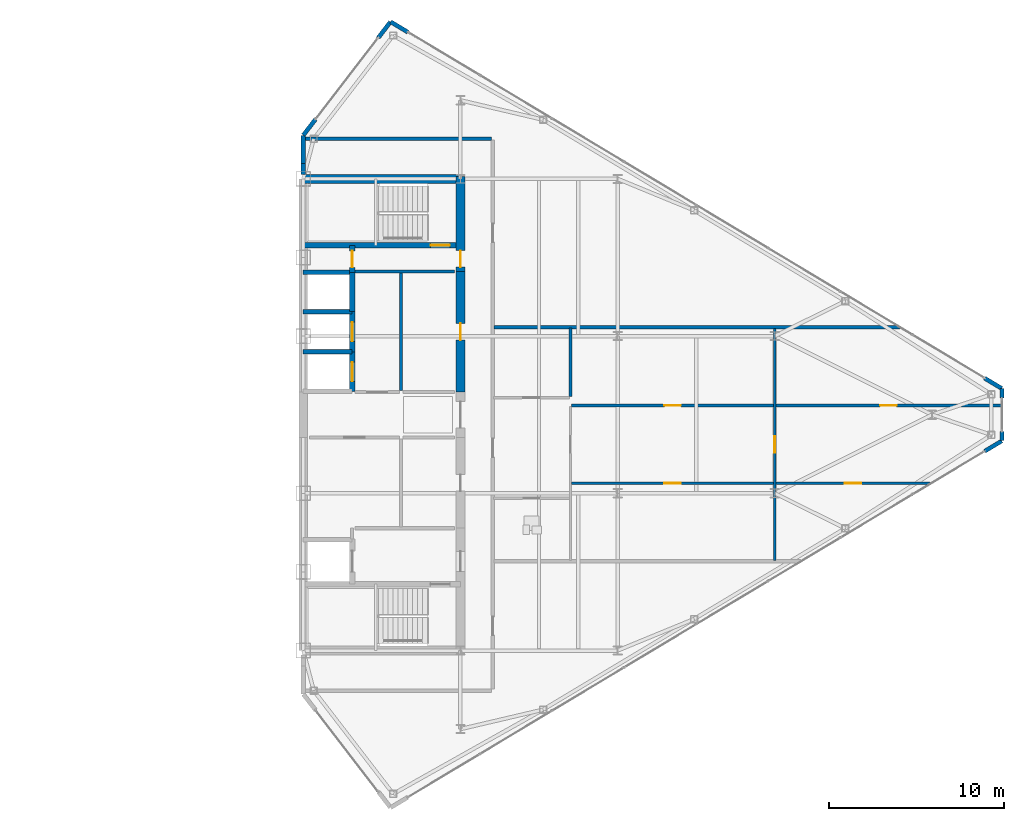
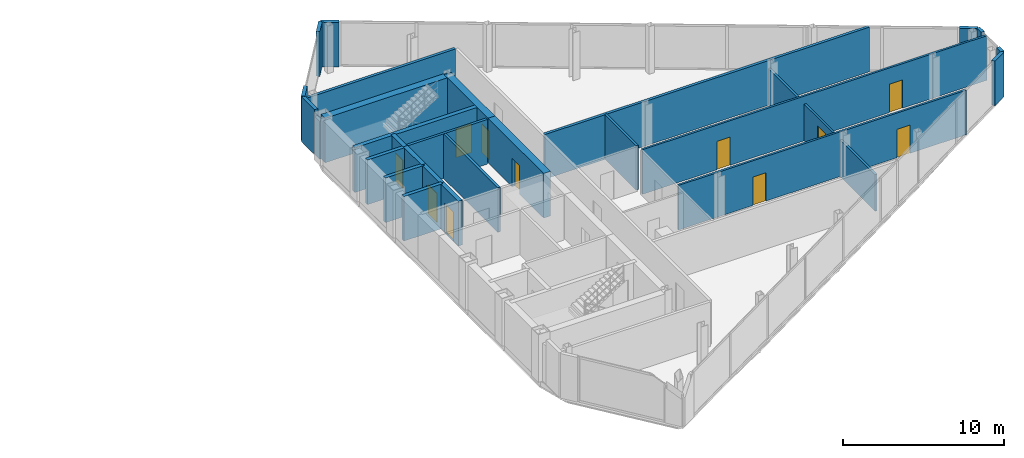
# One storey, part 22 of 25: 28 walls, 11 doors, 11 openings.
"""IFC4 building model written with IfcOpenShell, lengths in metres."""

from ifc_helpers import new_model, si_unit, direction, frame, frame_2d, origin, place, context, subcontext, project, spatial, rectangle, extrude, source, transform, mapped, material, layer, layer_set, type_object, type_shapes, element, fill, save


model = new_model("IFC4")

# Units and contexts
model_context = context("Model", 3, precision=1e-05, world=origin(), true_north=direction((0.0, 1.0)))
body_context = subcontext(model_context, "Body", "Model", "MODEL_VIEW")
ifc_project = project(units=[si_unit("LENGTHUNIT", "METRE"), si_unit("AREAUNIT", "SQUARE_METRE"), si_unit("VOLUMEUNIT", "CUBIC_METRE"), si_unit("PLANEANGLEUNIT", "RADIAN"), si_unit("MASSUNIT", "GRAM", prefix="KILO")], contexts=[model_context])

# Site, building, storey
site_placement = place(None, origin())
site = spatial("IfcSite", under=ifc_project, at=site_placement, CompositionType="ELEMENT")
building_placement = place(site_placement, origin())
building = spatial("IfcBuilding", under=site, at=building_placement, Name="Seokmaru Belvedere", CompositionType="ELEMENT")
storey_placement = place(building_placement, frame((0.0, 0.0, 217.5)))
storey = spatial("IfcBuildingStorey", under=building, at=storey_placement, Name="L58", CompositionType="ELEMENT", Elevation=217.5)

# Wall, openings, doors
ifc_material_1 = material(Name="Fire-Rated Gypsum Shaftwall")
ifc_layer_1 = layer(ifc_material_1, 0.14990234375)
ifc_layer_set_1 = layer_set([ifc_layer_1], Name="Fire-Rated Gypsum Shaftwall")
wall_type_1 = type_object("IfcWallType", Name="Apartment Fire-Acoustic Room Partition 150", PredefinedType="PARTITIONING", material=ifc_layer_set_1)
wall_1_placement = place(storey_placement, frame((42.85009765625, -3.929931640625, 0.0), z_axis=(0.0, 0.0, 1.0), x_axis=(1.0, 0.0, 0.0)))
wall_1 = element("IfcWall", 1, at=wall_1_placement, inside=storey, type_object=wall_type_1, Name="L58 Interior Partition 006", PredefinedType="PARTITIONING", context=body_context, shape_type="SweptSolid", body=[
    extrude(rectangle(XDim=20.6298828125, YDim=0.14990234375, at=frame_2d((10.31494140625, 0.0))), origin(), (0.0, 0.0, 1.0), 3.3798828125),
])
opening_1_placement = place(wall_1_placement, frame((5.324951171875, 0.0, 0.0)))
opening_1 = element("IfcOpeningElement", 2, at=opening_1_placement, cuts=wall_1, Name="Opening D05", PredefinedType="OPENING", context=body_context, shape_type="SweptSolid", body=[
    extrude(rectangle(XDim=0.949951171875, YDim=2.14990234375, at=frame_2d((0.47509765625, 1.074951171875))), frame((0.0, 0.0849609375, 0.0), z_axis=(0.0, -1.0, 0.0), x_axis=(1.0, 0.0, 0.0)), (0.0, 0.0, 1.0), 0.169921875),
])
opening_2_placement = place(wall_1_placement, frame((15.647216796875, 0.0, 0.0)))
opening_2 = element("IfcOpeningElement", 3, at=opening_2_placement, cuts=wall_1, Name="Opening D05", PredefinedType="OPENING", context=body_context, shape_type="SweptSolid", body=[
    extrude(rectangle(XDim=0.949951171875, YDim=2.14990234375, at=frame_2d((0.47509765625, 1.074951171875))), frame((0.0, 0.0849609375, 0.0), z_axis=(0.0, -1.0, 0.0), x_axis=(1.0, 0.0, 0.0)), (0.0, 0.0, 1.0), 0.169921875),
])
ifc_material_2 = material(Name="Engineered White Oak Timber", Category="wood")
door_type_1 = type_object("IfcDoorType", Name="Apartment Interior Fire-Rated Oak Door 950x2150", OperationType="NOTDEFINED", PredefinedType="DOOR", material=ifc_material_2)
shared_shape_1 = source(origin(), body_context, "Body", "SweptSolid", [
    extrude(rectangle(XDim=0.949951171875, YDim=2.14990234375, at=frame_2d((0.47509765625, 1.074951171875))), frame((0.0, 0.02490234375, 0.0), z_axis=(0.0, -1.0, 0.0), x_axis=(1.0, 0.0, 0.0)), (0.0, 0.0, 1.0), 0.050048828125),
])
type_shapes(door_type_1, [shared_shape_1])
door_1_placement = place(opening_1_placement, origin())
door_1 = element("IfcDoor", 4, at=door_1_placement, inside=storey, type_object=door_type_1, Name="L58 Interior Door 023", OperationType="SINGLE_SWING_RIGHT", OverallHeight=2.14990234375, OverallWidth=0.949951171875, PredefinedType="DOOR", context=body_context, shape_type="MappedRepresentation", body=[
    mapped(shared_shape_1, transform((0.0, 0.0, 0.0), scale=1.0)),
])
fill(opening_1, door_1)
door_2_placement = place(opening_2_placement, origin())
door_2 = element("IfcDoor", 5, at=door_2_placement, inside=storey, type_object=door_type_1, Name="L58 Interior Door 025", OperationType="SINGLE_SWING_LEFT", OverallHeight=2.14990234375, OverallWidth=0.949951171875, PredefinedType="DOOR", context=body_context, shape_type="MappedRepresentation", body=[
    mapped(shared_shape_1, transform((0.0, 0.0, 0.0), scale=1.0)),
])
fill(opening_2, door_2)

wall_2_placement = place(storey_placement, frame((42.85009765625, 0.530029296875, 0.0), z_axis=(0.0, 0.0, 1.0), x_axis=(1.0, 0.0, 0.0)))
wall_2 = element("IfcWall", 6, at=wall_2_placement, inside=storey, type_object=wall_type_1, Name="L58 Interior Partition 009", PredefinedType="PARTITIONING", context=body_context, shape_type="SweptSolid", body=[
    extrude(rectangle(XDim=24.684814453125, YDim=0.14990234375, at=frame_2d((12.34228515625, 0.0))), origin(), (0.0, 0.0, 1.0), 3.3798828125),
])
opening_3_placement = place(wall_2_placement, frame((5.324951171875, 0.0, 0.0)))
opening_3 = element("IfcOpeningElement", 7, at=opening_3_placement, cuts=wall_2, Name="Opening D05", PredefinedType="OPENING", context=body_context, shape_type="SweptSolid", body=[
    extrude(rectangle(XDim=0.949951171875, YDim=2.14990234375, at=frame_2d((0.47509765625, 1.074951171875))), frame((0.0, 0.0849609375, 0.0), z_axis=(0.0, -1.0, 0.0), x_axis=(1.0, 0.0, 0.0)), (0.0, 0.0, 1.0), 0.169921875),
])
opening_4_placement = place(wall_2_placement, frame((17.675048828125, 0.0, 0.0)))
opening_4 = element("IfcOpeningElement", 8, at=opening_4_placement, cuts=wall_2, Name="Opening D05", PredefinedType="OPENING", context=body_context, shape_type="SweptSolid", body=[
    extrude(rectangle(XDim=0.949951171875, YDim=2.14990234375, at=frame_2d((0.47509765625, 1.074951171875))), frame((0.0, 0.0849609375, 0.0), z_axis=(0.0, -1.0, 0.0), x_axis=(1.0, 0.0, 0.0)), (0.0, 0.0, 1.0), 0.169921875),
])
door_3_placement = place(opening_3_placement, origin())
door_3 = element("IfcDoor", 9, at=door_3_placement, inside=storey, type_object=door_type_1, Name="L58 Interior Door 024", OperationType="SINGLE_SWING_LEFT", OverallHeight=2.14990234375, OverallWidth=0.949951171875, PredefinedType="DOOR", context=body_context, shape_type="MappedRepresentation", body=[
    mapped(shared_shape_1, transform((0.0, 0.0, 0.0), scale=1.0)),
])
fill(opening_3, door_3)
door_4_placement = place(opening_4_placement, origin())
door_4 = element("IfcDoor", 10, at=door_4_placement, inside=storey, type_object=door_type_1, Name="L58 Interior Door 026", OperationType="SINGLE_SWING_LEFT", OverallHeight=2.14990234375, OverallWidth=0.949951171875, PredefinedType="DOOR", context=body_context, shape_type="MappedRepresentation", body=[
    mapped(shared_shape_1, transform((0.0, 0.0, 0.0), scale=1.0)),
])
fill(opening_4, door_4)

# Wall
wall_3_placement = place(storey_placement, frame((42.800048828125, 1.031982421875, 0.0), z_axis=(0.0, 0.0, 1.0), x_axis=(0.0, 1.0, 0.0)))
element("IfcWall", 11, at=wall_3_placement, inside=storey, type_object=wall_type_1, Name="L58 Interior Partition 029", PredefinedType="PARTITIONING", context=body_context, shape_type="SweptSolid", body=[
    extrude(rectangle(XDim=3.91796875, YDim=0.14990234375, at=frame_2d((1.958984375, 0.0))), origin(), (0.0, 0.0, 1.0), 3.3798828125),
])

# Wall, opening, door
wall_4_placement = place(storey_placement, frame((54.5, -8.35009765625, 0.0), z_axis=(0.0, 0.0, 1.0), x_axis=(0.0, 1.0, 0.0)))
wall_4 = element("IfcWall", 12, at=wall_4_placement, inside=storey, type_object=wall_type_1, Name="L58 Interior Partition 030", PredefinedType="PARTITIONING", context=body_context, shape_type="SweptSolid", body=[
    extrude(rectangle(XDim=13.300048828125, YDim=0.14990234375, at=frame_2d((6.64990234375, 0.0))), origin(), (0.0, 0.0, 1.0), 2.780029296875),
])
opening_5_placement = place(wall_4_placement, frame((6.175048828125, 0.0, 0.0)))
opening_5 = element("IfcOpeningElement", 13, at=opening_5_placement, cuts=wall_4, Name="Opening D05", PredefinedType="OPENING", context=body_context, shape_type="SweptSolid", body=[
    extrude(rectangle(XDim=0.949951171875, YDim=2.14990234375, at=frame_2d((0.47509765625, 1.074951171875))), frame((0.0, 0.0849609375, 0.0), z_axis=(0.0, -1.0, 0.0), x_axis=(1.0, 0.0, 0.0)), (0.0, 0.0, 1.0), 0.169921875),
])
door_5_placement = place(opening_5_placement, origin())
door_5 = element("IfcDoor", 14, at=door_5_placement, inside=storey, type_object=door_type_1, Name="L58 Interior Door 022", OperationType="SINGLE_SWING_RIGHT", OverallHeight=2.14990234375, OverallWidth=0.949951171875, PredefinedType="DOOR", context=body_context, shape_type="MappedRepresentation", body=[
    mapped(shared_shape_1, transform((0.0, 0.0, 0.0), scale=1.0)),
])
fill(opening_5, door_5)

# Walls
ifc_layer_2 = layer(ifc_material_1, 0.179931640625)
ifc_layer_set_2 = layer_set([ifc_layer_2], Name="Fire-Rated Gypsum Shaftwall")
wall_type_2 = type_object("IfcWallType", Name="Core Service Fire Partition 180", PredefinedType="PARTITIONING", material=ifc_layer_set_2)
wall_5_placement = place(storey_placement, frame((30.449951171875, 8.199951171875, 0.0), z_axis=(0.0, 0.0, 1.0), x_axis=(1.0, 0.0, 0.0)))
element("IfcWall", 15, at=wall_5_placement, inside=storey, type_object=wall_type_2, Name="L58 East Smokeproof Vestibule Partition", PredefinedType="PARTITIONING", context=body_context, shape_type="SweptSolid", body=[
    extrude(rectangle(XDim=5.699951171875, YDim=0.179931640625, at=frame_2d((2.85009765625, 0.0))), origin(), (0.0, 0.0, 1.0), 3.3798828125),
])
wall_6_placement = place(storey_placement, frame((33.10009765625, 1.3798828125, 0.0), z_axis=(0.0, 0.0, 1.0), x_axis=(0.0, 1.0, 0.0)))
element("IfcWall", 16, at=wall_6_placement, inside=storey, type_object=wall_type_2, Name="L58 East North Core Service Back Wall", PredefinedType="PARTITIONING", context=body_context, shape_type="SweptSolid", body=[
    extrude(rectangle(XDim=6.740234375, YDim=0.179931640625, at=frame_2d((3.3701171875, 0.0))), origin(), (0.0, 0.0, 1.0), 3.3798828125),
])
ifc_material_3 = material(Name="Concrete C50 (50 MPa)", Category="concrete")
ifc_layer_3 = layer(ifc_material_3, 0.25)
ifc_layer_set_3 = layer_set([ifc_layer_3], Name="Concrete C50 (50 MPa)")
wall_type_3 = type_object("IfcWallType", Name="Hoistway Transverse Concrete Divider Wall 250", PredefinedType="SHEAR", material=ifc_layer_set_3)
for number, where, z_axis, x_axis, name in (
    (17, (27.5, 3.60009765625, 0.0), (0.0, 0.0, 1.0), (1.0, 0.0, 0.0), "L58 East Hoistway Divider Core Wall 3"),
    (18, (27.5, 5.89990234375, 0.0), (0.0, 0.0, 1.0), (1.0, 0.0, 0.0), "L58 East Hoistway Divider Core Wall 4"),
    (19, (27.5, 8.14990234375, 0.0), (0.0, 0.0, 1.0), (1.0, 0.0, 0.0), "L58 East Hoistway Divider Core Wall 5"),
):
    element("IfcWall", number, at=place(storey_placement, frame(where, z_axis=z_axis, x_axis=x_axis)), inside=storey, type_object=wall_type_3, Name=name, PredefinedType="SHEAR", context=body_context, shape_type="SweptSolid", body=[
        extrude(rectangle(XDim=2.800048828125, YDim=0.25, at=frame_2d((1.39990234375, 0.0))), origin(), (0.0, 0.0, 1.0), 3.3798828125),
    ])
ifc_layer_4 = layer(ifc_material_1, 0.199951171875)
ifc_layer_set_4 = layer_set([ifc_layer_4], Name="Fire-Rated Gypsum Shaftwall")
wall_type_4 = type_object("IfcWallType", Name="Inter-Tenancy Fire Compartment Partition 200", PredefinedType="PARTITIONING", material=ifc_layer_set_4)
wall_7_placement = place(storey_placement, frame((38.429931640625, 5.0, 0.0), z_axis=(0.0, 0.0, 1.0), x_axis=(1.0, 0.0, 0.0)))
element("IfcWall", 20, at=wall_7_placement, inside=storey, type_object=wall_type_4, Name="L58 Interior Partition 013", PredefinedType="PARTITIONING", context=body_context, shape_type="SweptSolid", body=[
    extrude(rectangle(XDim=23.24609375, YDim=0.199951171875, at=frame_2d((11.623046875, 0.0))), origin(), (0.0, 0.0, 1.0), 3.3798828125),
])
wall_8_placement = place(storey_placement, frame((27.625, 15.800048828125, 0.0), z_axis=(0.0, 0.0, 1.0), x_axis=(1.0, 0.0, 0.0)))
element("IfcWall", 21, at=wall_8_placement, inside=storey, type_object=wall_type_4, Name="L58 Interior Partition 019", PredefinedType="PARTITIONING", context=body_context, shape_type="SweptSolid", body=[
    extrude(rectangle(XDim=10.639892578125, YDim=0.199951171875, at=frame_2d((5.31982421875, 0.0))), origin(), (0.0, 0.0, 1.0), 3.3798828125),
])

# Wall, opening, door
ifc_layer_5 = layer(ifc_material_3, 0.300048828125)
ifc_layer_set_5 = layer_set([ifc_layer_5], Name="Concrete C50 (50 MPa)")
wall_type_5 = type_object("IfcWallType", Name="Internal Core Stair and Hoistway Wall 300", PredefinedType="SHEAR", material=ifc_layer_set_5)
wall_9_placement = place(storey_placement, frame((27.5, 9.699951171875, 0.0), z_axis=(0.0, 0.0, 1.0), x_axis=(1.0, 0.0, 0.0)))
wall_9 = element("IfcWall", 22, at=wall_9_placement, inside=storey, type_object=wall_type_5, Name="L58 East Stair ST-2 Enclosure Wall", PredefinedType="SHEAR", context=body_context, shape_type="SweptSolid", body=[
    extrude(rectangle(XDim=9.0, YDim=0.300048828125, at=frame_2d((4.5, 0.0))), origin(), (0.0, 0.0, 1.0), 3.3798828125),
])
opening_6_placement = place(wall_9_placement, frame((7.300048828125, 0.0, 0.0)))
opening_6 = element("IfcOpeningElement", 23, at=opening_6_placement, cuts=wall_9, Name="Opening D01", PredefinedType="OPENING", context=body_context, shape_type="SweptSolid", body=[
    extrude(rectangle(XDim=1.10009765625, YDim=2.199951171875, at=frame_2d((0.550048828125, 1.10009765625))), frame((0.0, 0.16015625, 0.0), z_axis=(0.0, -1.0, 0.0), x_axis=(1.0, 0.0, 0.0)), (0.0, 0.0, 1.0), 0.320068359375),
])
ifc_material_4 = material(Name="Fire-Rated Steel Leaf", Category="steel")
door_type_2 = type_object("IfcDoorType", Name="Special Escape Stair Smokeproof Fire Door 1100x2200", OperationType="NOTDEFINED", PredefinedType="DOOR", material=ifc_material_4)
shared_shape_2 = source(origin(), body_context, "Body", "SweptSolid", [
    extrude(rectangle(XDim=1.10009765625, YDim=2.199951171875, at=frame_2d((0.550048828125, 1.10009765625))), frame((0.0, 0.02490234375, 0.0), z_axis=(0.0, -1.0, 0.0), x_axis=(1.0, 0.0, 0.0)), (0.0, 0.0, 1.0), 0.050048828125),
])
type_shapes(door_type_2, [shared_shape_2])
door_6_placement = place(opening_6_placement, origin())
door_6 = element("IfcDoor", 24, at=door_6_placement, inside=storey, type_object=door_type_2, Name="L58 East Special Escape Stair ST-2 Door", OperationType="SINGLE_SWING_LEFT", OverallHeight=2.199951171875, OverallWidth=1.10009765625, PredefinedType="DOOR", context=body_context, shape_type="MappedRepresentation", body=[
    mapped(shared_shape_2, transform((0.0, 0.0, 0.0), scale=1.0)),
])
fill(opening_6, door_6)

wall_10_placement = place(storey_placement, frame((30.300048828125, 1.320068359375, 0.0), z_axis=(0.0, 0.0, 1.0), x_axis=(0.0, 1.0, 0.0)))
wall_10 = element("IfcWall", 25, at=wall_10_placement, inside=storey, type_object=wall_type_5, Name="L58 East North Hoistway Wall PH1", PredefinedType="SHEAR", context=body_context, shape_type="SweptSolid", body=[
    extrude(rectangle(XDim=2.280029296875, YDim=0.300048828125, at=frame_2d((1.14013671875, 0.0))), origin(), (0.0, 0.0, 1.0), 3.3798828125),
])
opening_7_placement = place(wall_10_placement, frame((0.590087890625, 0.0, 0.0)))
opening_7 = element("IfcOpeningElement", 26, at=opening_7_placement, cuts=wall_10, Name="Opening LD1", PredefinedType="OPENING", context=body_context, shape_type="SweptSolid", body=[
    extrude(rectangle(XDim=1.10009765625, YDim=2.199951171875, at=frame_2d((0.550048828125, 1.10009765625))), frame((0.0, 0.16015625, 0.0), z_axis=(0.0, -1.0, 0.0), x_axis=(1.0, 0.0, 0.0)), (0.0, 0.0, 1.0), 0.320068359375),
])
ifc_material_5 = material(Name="Stainless Steel 316", Category="steel")
door_type_3 = type_object("IfcDoorType", Name="Passenger Lift Sliding Landing Door 1100x2200", OperationType="DOUBLE_DOOR_SLIDING", PredefinedType="DOOR", material=ifc_material_5)
shared_shape_3 = source(origin(), body_context, "Body", "SweptSolid", [
    extrude(rectangle(XDim=1.10009765625, YDim=2.199951171875, at=frame_2d((0.550048828125, 1.10009765625))), frame((0.0, 0.02490234375, 0.0), z_axis=(0.0, -1.0, 0.0), x_axis=(1.0, 0.0, 0.0)), (0.0, 0.0, 1.0), 0.050048828125),
])
type_shapes(door_type_3, [shared_shape_3])
door_7_placement = place(opening_7_placement, origin())
door_7 = element("IfcDoor", 27, at=door_7_placement, inside=storey, type_object=door_type_3, Name="L58 East High-Rise Lift PH-1 Landing Door", OperationType="DOUBLE_DOOR_SLIDING", OverallHeight=2.199951171875, OverallWidth=1.10009765625, PredefinedType="DOOR", context=body_context, shape_type="MappedRepresentation", body=[
    mapped(shared_shape_3, transform((0.0, 0.0, 0.0), scale=1.0)),
])
fill(opening_7, door_7)

wall_11_placement = place(storey_placement, frame((30.300048828125, 3.60009765625, 0.0), z_axis=(0.0, 0.0, 1.0), x_axis=(0.0, 1.0, 0.0)))
wall_11 = element("IfcWall", 28, at=wall_11_placement, inside=storey, type_object=wall_type_5, Name="L58 East North Hoistway Wall PH2", PredefinedType="SHEAR", context=body_context, shape_type="SweptSolid", body=[
    extrude(rectangle(XDim=2.2998046875, YDim=0.300048828125, at=frame_2d((1.14990234375, 0.0))), origin(), (0.0, 0.0, 1.0), 3.3798828125),
])
opening_8_placement = place(wall_11_placement, frame((0.60009765625, 0.0, 0.0)))
opening_8 = element("IfcOpeningElement", 29, at=opening_8_placement, cuts=wall_11, Name="Opening LD1", PredefinedType="OPENING", context=body_context, shape_type="SweptSolid", body=[
    extrude(rectangle(XDim=1.10009765625, YDim=2.199951171875, at=frame_2d((0.550048828125, 1.10009765625))), frame((0.0, 0.16015625, 0.0), z_axis=(0.0, -1.0, 0.0), x_axis=(1.0, 0.0, 0.0)), (0.0, 0.0, 1.0), 0.320068359375),
])
door_8_placement = place(opening_8_placement, origin())
door_8 = element("IfcDoor", 30, at=door_8_placement, inside=storey, type_object=door_type_3, Name="L58 East High-Rise Lift PH-2 Landing Door", OperationType="DOUBLE_DOOR_SLIDING", OverallHeight=2.199951171875, OverallWidth=1.10009765625, PredefinedType="DOOR", context=body_context, shape_type="MappedRepresentation", body=[
    mapped(shared_shape_3, transform((0.0, 0.0, 0.0), scale=1.0)),
])
fill(opening_8, door_8)

# Wall
wall_12_placement = place(storey_placement, frame((30.300048828125, 5.89990234375, 0.0), z_axis=(0.0, 0.0, 1.0), x_axis=(0.0, 1.0, 0.0)))
element("IfcWall", 31, at=wall_12_placement, inside=storey, type_object=wall_type_5, Name="L58 East North Hoistway Wall OBS", PredefinedType="SHEAR", context=body_context, shape_type="SweptSolid", body=[
    extrude(rectangle(XDim=2.25, YDim=0.300048828125, at=frame_2d((1.125, 0.0))), origin(), (0.0, 0.0, 1.0), 3.3798828125),
])

# Wall, opening, door
wall_13_placement = place(storey_placement, frame((30.300048828125, 8.14990234375, 0.0), z_axis=(0.0, 0.0, 1.0), x_axis=(0.0, 1.0, 0.0)))
wall_13 = element("IfcWall", 32, at=wall_13_placement, inside=storey, type_object=wall_type_5, Name="L58 East Electrical Riser Front Wall", PredefinedType="SHEAR", context=body_context, shape_type="SweptSolid", body=[
    extrude(rectangle(XDim=1.530029296875, YDim=0.300048828125, at=frame_2d((0.76513671875, 0.0))), origin(), (0.0, 0.0, 1.0), 3.3798828125),
])
opening_9_placement = place(wall_13_placement, frame((0.284912109375, 0.0, 0.0)))
opening_9 = element("IfcOpeningElement", 33, at=opening_9_placement, cuts=wall_13, Name="Opening D04", PredefinedType="OPENING", context=body_context, shape_type="SweptSolid", body=[
    extrude(rectangle(XDim=0.949951171875, YDim=2.14990234375, at=frame_2d((0.47509765625, 1.074951171875))), frame((0.0, 0.16015625, 0.0), z_axis=(0.0, -1.0, 0.0), x_axis=(1.0, 0.0, 0.0)), (0.0, 0.0, 1.0), 0.320068359375),
])
door_type_4 = type_object("IfcDoorType", Name="Core Service Room Fire Door 950x2150", OperationType="NOTDEFINED", PredefinedType="DOOR", material=ifc_material_4)
shared_shape_4 = source(origin(), body_context, "Body", "SweptSolid", [
    extrude(rectangle(XDim=0.949951171875, YDim=2.14990234375, at=frame_2d((0.47509765625, 1.074951171875))), frame((0.0, 0.02490234375, 0.0), z_axis=(0.0, -1.0, 0.0), x_axis=(1.0, 0.0, 0.0)), (0.0, 0.0, 1.0), 0.050048828125),
])
type_shapes(door_type_4, [shared_shape_4])
door_9_placement = place(opening_9_placement, origin())
door_9 = element("IfcDoor", 34, at=door_9_placement, inside=storey, type_object=door_type_4, Name="L58 East Electrical Riser Access Door", OperationType="SINGLE_SWING_RIGHT", OverallHeight=2.14990234375, OverallWidth=0.949951171875, PredefinedType="DOOR", context=body_context, shape_type="MappedRepresentation", body=[
    mapped(shared_shape_4, transform((0.0, 0.0, 0.0), scale=1.0)),
])
fill(opening_9, door_9)

# Walls
ifc_material_6 = material(Name="Anodised Bronze Aluminium", Category="aluminium")
ifc_layer_6 = layer(ifc_material_6, 0.239990234375)
ifc_layer_set_6 = layer_set([ifc_layer_6], Name="Anodised Bronze Aluminium")
wall_type_6 = type_object("IfcWallType", Name="Tower Corner Spandrel Closure Wall 240", PredefinedType="SOLIDWALL", material=ifc_layer_set_6)
wall_14_placement = place(storey_placement, frame((66.513916015625, -2.091796875, 0.0), z_axis=(0.0, 0.0, 1.0), x_axis=(0.85743623509, 0.514590228002, 0.0)))
element("IfcWall", 35, at=wall_14_placement, inside=storey, type_object=wall_type_6, Name="L58 E Corner Closure Pier 1B", PredefinedType="SOLIDWALL", context=body_context, shape_type="SweptSolid", body=[
    extrude(rectangle(XDim=1.14013671875, YDim=0.239990234375, at=frame_2d((0.570068359375, 0.0))), origin(), (0.0, 0.0, 1.0), 3.3798828125),
])
for number, where, z_axis, x_axis, name in (
    (36, (67.5, -1.489990234375, 0.0), (0.0, 0.0, 1.0), (0.0, 1.0, 0.0), "L58 E Apex Closure Pier 2A"),
    (37, (67.5, 0.949951171875, 0.0), (0.0, 0.0, 1.0), (0.0, 1.0, 0.0), "L58 E Apex Closure Pier 2B"),
):
    element("IfcWall", number, at=place(storey_placement, frame(where, z_axis=z_axis, x_axis=x_axis)), inside=storey, type_object=wall_type_6, Name=name, PredefinedType="SOLIDWALL", context=body_context, shape_type="SweptSolid", body=[
        extrude(rectangle(XDim=0.5400390625, YDim=0.239990234375, at=frame_2d((0.27001953125, 0.0))), origin(), (0.0, 0.0, 1.0), 3.3798828125),
    ])
for number, where, z_axis, x_axis, name in (
    (38, (67.491455078125, 1.505126953125, 0.0), (0.0, 0.0, 1.0), (-0.85743623509, 0.514590228002, 0.0), "L58 E Corner Closure Pier 3A"),
    (39, (33.486083984375, 21.908203125, 0.0), (0.0, 0.0, 1.0), (-0.85743623509, 0.514590228002, 0.0), "L58 E Corner Closure Pier 3B"),
    (40, (32.493896484375, 22.4921875, 0.0), (0.0, 0.0, 1.0), (-0.609617623633, -0.792695624408, 0.0), "L58 E Corner Closure Pier 4A"),
    (41, (28.201171875, 16.91162109375, 0.0), (0.0, 0.0, 1.0), (-0.609617623633, -0.792695624408, 0.0), "L58 E Corner Closure Pier 4B"),
):
    element("IfcWall", number, at=place(storey_placement, frame(where, z_axis=z_axis, x_axis=x_axis)), inside=storey, type_object=wall_type_6, Name=name, PredefinedType="SOLIDWALL", context=body_context, shape_type="SweptSolid", body=[
        extrude(rectangle(XDim=1.14013671875, YDim=0.239990234375, at=frame_2d((0.570068359375, 0.0))), origin(), (0.0, 0.0, 1.0), 3.3798828125),
    ])
wall_15_placement = place(storey_placement, frame((27.5, 13.7548828125, 0.0), z_axis=(0.0, 0.0, 1.0), x_axis=(0.0, 1.0, 0.0)))
element("IfcWall", 42, at=wall_15_placement, inside=storey, type_object=wall_type_6, Name="L58 E Shoulder Closure Wall 2", PredefinedType="SOLIDWALL", context=body_context, shape_type="SweptSolid", body=[
    extrude(rectangle(XDim=0.619873046875, YDim=0.239990234375, at=frame_2d((0.31005859375, 0.0))), origin(), (0.0, 0.0, 1.0), 2.8798828125),
])
wall_16_placement = place(storey_placement, frame((27.5, 14.374755859375, 0.0), z_axis=(0.0, 0.0, 1.0), x_axis=(0.0, 1.0, 0.0)))
element("IfcWall", 43, at=wall_16_placement, inside=storey, type_object=wall_type_6, Name="L58 E Shoulder Closure Wall 2 Part 2", PredefinedType="SOLIDWALL", context=body_context, shape_type="SweptSolid", body=[
    extrude(rectangle(XDim=1.605224609375, YDim=0.239990234375, at=frame_2d((0.802734375, 0.0))), origin(), (0.0, 0.0, 1.0), 3.3798828125),
])
ifc_layer_7 = layer(ifc_material_3, 0.5)
ifc_layer_set_7 = layer_set([ifc_layer_7], Name="Concrete C50 (50 MPa)")
wall_type_7 = type_object("IfcWallType", Name="Upper Tower Reinforced Concrete Core Wall 500", PredefinedType="SHEAR", material=ifc_layer_set_7)
wall_17_placement = place(storey_placement, frame((27.5, 13.5, 0.0), z_axis=(0.0, 0.0, 1.0), x_axis=(1.0, 0.0, 0.0)))
element("IfcWall", 44, at=wall_17_placement, inside=storey, type_object=wall_type_7, Name="L58 East North Core Wall", PredefinedType="SHEAR", context=body_context, shape_type="SweptSolid", body=[
    extrude(rectangle(XDim=9.0, YDim=0.5, at=frame_2d((4.5, 0.0))), origin(), (0.0, 0.0, 1.0), 3.3798828125),
])

# Wall, opening, door
wall_18_placement = place(storey_placement, frame((36.5, 8.199951171875, 0.0), z_axis=(0.0, 0.0, 1.0), x_axis=(0.0, 1.0, 0.0)))
wall_18 = element("IfcWall", 45, at=wall_18_placement, inside=storey, type_object=wall_type_7, Name="L58 East West Core Wall VST", PredefinedType="SHEAR", context=body_context, shape_type="SweptSolid", body=[
    extrude(rectangle(XDim=5.449951171875, YDim=0.5, at=frame_2d((2.72509765625, 0.0))), origin(), (0.0, 0.0, 1.0), 3.3798828125),
])
opening_10_placement = place(wall_18_placement, frame((0.2451171875, 0.0, 0.0)))
opening_10 = element("IfcOpeningElement", 46, at=opening_10_placement, cuts=wall_18, Name="Opening D04", PredefinedType="OPENING", context=body_context, shape_type="SweptSolid", body=[
    extrude(rectangle(XDim=0.949951171875, YDim=2.14990234375, at=frame_2d((0.47509765625, 1.074951171875))), frame((0.0, 0.260009765625, 0.0), z_axis=(0.0, -1.0, 0.0), x_axis=(1.0, 0.0, 0.0)), (0.0, 0.0, 1.0), 0.52001953125),
])
door_10_placement = place(opening_10_placement, origin())
door_10 = element("IfcDoor", 47, at=door_10_placement, inside=storey, type_object=door_type_4, Name="L58 East Smokeproof Vestibule Door", OperationType="SINGLE_SWING_LEFT", OverallHeight=2.14990234375, OverallWidth=0.949951171875, PredefinedType="DOOR", context=body_context, shape_type="MappedRepresentation", body=[
    mapped(shared_shape_4, transform((0.0, 0.0, 0.0), scale=1.0)),
])
fill(opening_10, door_10)

wall_19_placement = place(storey_placement, frame((36.5, 1.300048828125, 0.0), z_axis=(0.0, 0.0, 1.0), x_axis=(0.0, 1.0, 0.0)))
wall_19 = element("IfcWall", 48, at=wall_19_placement, inside=storey, type_object=wall_type_7, Name="L58 East West Core Wall CS2", PredefinedType="SHEAR", context=body_context, shape_type="SweptSolid", body=[
    extrude(rectangle(XDim=6.89990234375, YDim=0.5, at=frame_2d((3.449951171875, 0.0))), origin(), (0.0, 0.0, 1.0), 3.3798828125),
])
opening_11_placement = place(wall_19_placement, frame((2.97509765625, 0.0, 0.0)))
opening_11 = element("IfcOpeningElement", 49, at=opening_11_placement, cuts=wall_19, Name="Opening D04", PredefinedType="OPENING", context=body_context, shape_type="SweptSolid", body=[
    extrude(rectangle(XDim=0.949951171875, YDim=2.14990234375, at=frame_2d((0.47509765625, 1.074951171875))), frame((0.0, 0.260009765625, 0.0), z_axis=(0.0, -1.0, 0.0), x_axis=(1.0, 0.0, 0.0)), (0.0, 0.0, 1.0), 0.52001953125),
])
door_11_placement = place(opening_11_placement, origin())
door_11 = element("IfcDoor", 50, at=door_11_placement, inside=storey, type_object=door_type_4, Name="L58 East Core Service Room Door 2", OperationType="SINGLE_SWING_LEFT", OverallHeight=2.14990234375, OverallWidth=0.949951171875, PredefinedType="DOOR", context=body_context, shape_type="MappedRepresentation", body=[
    mapped(shared_shape_4, transform((0.0, 0.0, 0.0), scale=1.0)),
])
fill(opening_11, door_11)

save(model, "model.ifc")
